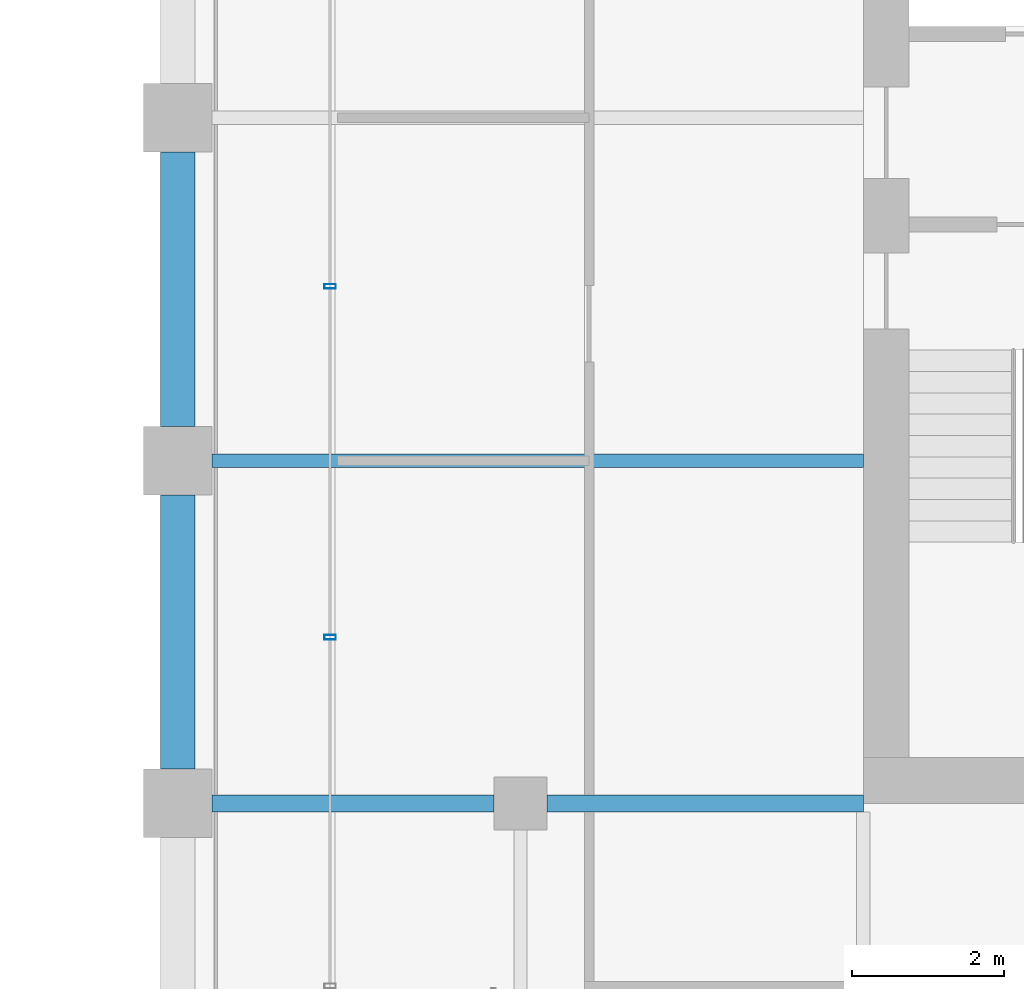
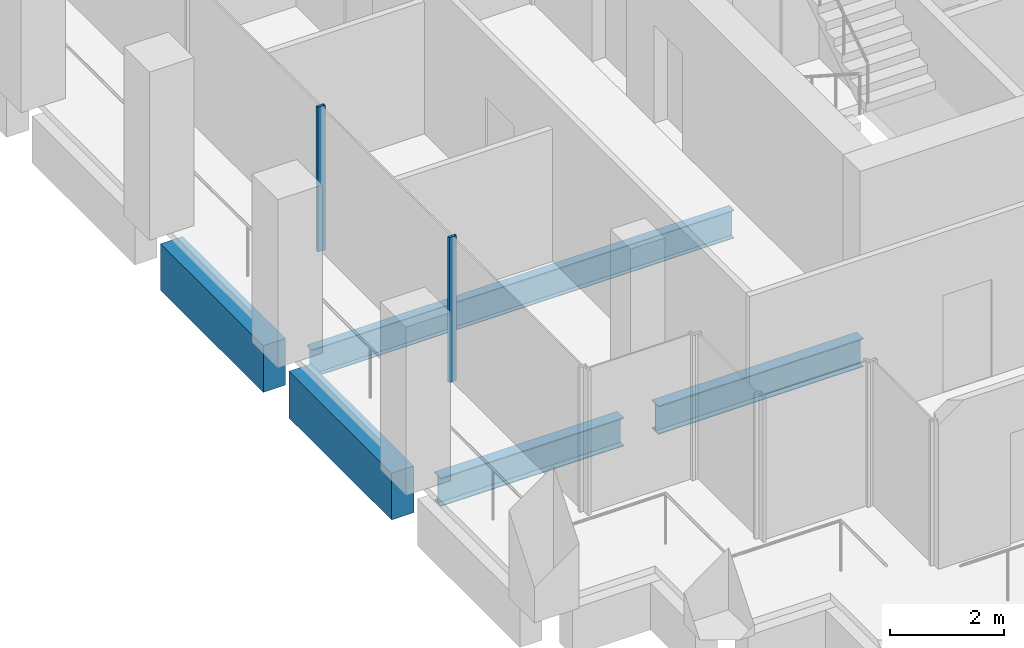
# One storey, part 30 of 40: 5 beams, 2 members, 1 element without a shape of its own.
"""IFC4 building model written with IfcOpenShell, lengths in metres."""

import ifcopenshell
import ifcopenshell.guid

model = None  # the IFC model being written
_history = None  # IfcOwnerHistory: only IFC2X3 demands one
_inside = {}  # id of a spatial element -> (the spatial element, [elements in it])
_under = {}  # id of a project, library or spatial element -> (it, [spatial elements below it])
_declared = {}  # id of a project -> (the project, [libraries it declares])
_typed = {}  # id of a type object -> (the type object, [elements of that type])
_made_of = {}  # id of a material, layer set ... -> (it, [elements and type objects made of it])


def new_model(schema):
    """Start an empty IFC model of exactly this schema.

    Asked for "IFC4X3", IfcOpenShell would pick the latest addendum, in which some entities
    have other attributes; the version numbers below select the first issue.
    IFC2X3 requires an IfcOwnerHistory on every rooted entity: one is made here for all.
    """
    global model, _history
    if schema == "IFC4X3":
        model = ifcopenshell.file(schema_version=(4, 3, 0, 0))
    else:
        model = ifcopenshell.file(schema=schema)
    _inside.clear()
    _under.clear()
    _declared.clear()
    _typed.clear()
    _made_of.clear()
    _history = None
    if model.schema == "IFC2X3":
        org = make("IfcOrganization", Name="unknown")
        user = make(
            "IfcPersonAndOrganization",
            ThePerson=make("IfcPerson", FamilyName="unknown"),
            TheOrganization=org,
        )
        app = make(
            "IfcApplication",
            ApplicationDeveloper=org,
            Version="unknown",
            ApplicationFullName="unknown",
            ApplicationIdentifier="unknown",
        )
        _history = make(
            "IfcOwnerHistory",
            OwningUser=user,
            OwningApplication=app,
            ChangeAction="ADDED",
            CreationDate=0,
        )
    return model


def make(cls, **values):
    """One entity of the class cls with the attributes given. An attribute that is None is left unset."""
    return model.create_entity(
        cls, **{name: value for name, value in values.items() if value is not None}
    )


def rooted(cls, **values):
    """An entity with a GlobalId (a new one), such as an element, a storey or a relation."""
    return make(cls, GlobalId=ifcopenshell.guid.new(), OwnerHistory=_history, **values)


def si_unit(unit_type, name, prefix=None):
    """IfcSIUnit, for example si_unit("LENGTHUNIT", "METRE", prefix="MILLI")."""
    return make("IfcSIUnit", UnitType=unit_type, Prefix=prefix, Name=name)


def assignment(units):
    """IfcUnitAssignment: the units of a project."""
    return None if units is None else make("IfcUnitAssignment", Units=units)


def point(xyz):
    """IfcCartesianPoint."""
    return None if xyz is None else make("IfcCartesianPoint", Coordinates=xyz)


def direction(xyz):
    """IfcDirection."""
    return None if xyz is None else make("IfcDirection", DirectionRatios=xyz)


def frame(location, z_axis=None, x_axis=None):
    """IfcAxis2Placement3D, a coordinate frame: its origin and axes. An axis left out is left unset."""
    return make(
        "IfcAxis2Placement3D",
        Location=point(location),
        Axis=direction(z_axis),
        RefDirection=direction(x_axis),
    )


def frame_2d(location, x_axis=None):
    """IfcAxis2Placement2D, a coordinate frame in the plane: its origin and x axis."""
    return make(
        "IfcAxis2Placement2D", Location=point(location), RefDirection=direction(x_axis)
    )


def origin():
    """The frame at (0, 0, 0) with its axes left unset."""
    return frame((0.0, 0.0, 0.0))


def origin_2d():
    """The frame at (0, 0) in the plane with its x axis left unset."""
    return frame_2d((0.0, 0.0))


def place(relative_to, where):
    """IfcLocalPlacement: puts the frame where relative to a parent placement (None: the world)."""
    return make(
        "IfcLocalPlacement", PlacementRelTo=relative_to, RelativePlacement=where
    )


def context(
    kind, dimensions, precision=None, world=None, true_north=None, identifier=None
):
    """IfcGeometricRepresentationContext, for example the 3D "Model" context."""
    return make(
        "IfcGeometricRepresentationContext",
        ContextIdentifier=identifier,
        ContextType=kind,
        CoordinateSpaceDimension=dimensions,
        Precision=precision,
        WorldCoordinateSystem=world,
        TrueNorth=true_north,
    )


def subcontext(parent, identifier, kind, view, scale=None):
    """IfcGeometricRepresentationSubContext, for example "Body" below "Model"."""
    return make(
        "IfcGeometricRepresentationSubContext",
        ContextIdentifier=identifier,
        ContextType=kind,
        ParentContext=parent,
        TargetScale=scale,
        TargetView=view,
    )


def project(units=None, contexts=None):
    """IfcProject with its units and contexts."""
    return rooted(
        "IfcProject",
        Name="project",
        RepresentationContexts=contexts,
        UnitsInContext=assignment(units),
    )


def spatial(cls, under=None, at=None, **own):
    """A site, building, storey or space (cls), placed at a placement, below another one or the project."""
    s = rooted(cls, ObjectPlacement=at, **own)
    if under is not None:
        _under.setdefault(under.id(), (under, []))[1].append(s)
    return s


def profile(cls, at=None, kind="AREA", **sizes):
    """A parametric profile (cls). Its sizes go by their IFC names, for example OverallWidth=200.0."""
    return make(cls, ProfileType=kind, Position=at, **sizes)


def rectangle(**sizes):
    """IfcRectangleProfileDef."""
    return profile("IfcRectangleProfileDef", **sizes)


def hollow_rectangle(**sizes):
    """IfcRectangleHollowProfileDef."""
    return profile("IfcRectangleHollowProfileDef", **sizes)


def i_section(**sizes):
    """IfcIShapeProfileDef."""
    return profile("IfcIShapeProfileDef", **sizes)


def extrude(swept, where, along, depth):
    """IfcExtrudedAreaSolid: the profile swept, set in the frame where, extruded along a direction by depth."""
    return make(
        "IfcExtrudedAreaSolid",
        SweptArea=swept,
        Position=where,
        ExtrudedDirection=direction(along),
        Depth=depth,
    )


def shape(context_of_items, identifier, shape_type, items):
    """IfcShapeRepresentation: the items that make up one representation, for example the "Body"."""
    return make(
        "IfcShapeRepresentation",
        ContextOfItems=context_of_items,
        RepresentationIdentifier=identifier,
        RepresentationType=shape_type,
        Items=items,
    )


def material(Name=None, Category=None):
    """IfcMaterial."""
    return make("IfcMaterial", Name=Name, Category=Category)


def material_profile(
    of_material, cross_section, Name=None, Category=None, Priority=None
):
    """IfcMaterialProfile: a cross section and its material."""
    return make(
        "IfcMaterialProfile",
        Name=Name,
        Material=of_material,
        Profile=cross_section,
        Priority=Priority,
        Category=Category,
    )


def profile_set(profiles, Name=None, composite=None):
    """IfcMaterialProfileSet."""
    return make(
        "IfcMaterialProfileSet",
        Name=Name,
        MaterialProfiles=profiles,
        CompositeProfile=composite,
    )


def made_of(thing, what):
    """Note that an element or type object is made of a material, layer set ...; save() writes the relation."""
    if what is not None:
        _made_of.setdefault(what.id(), (what, []))[1].append(thing)
    return thing


def type_object(cls, material=None, **own):
    """A type object (cls), such as IfcWallType, which elements share."""
    return made_of(rooted(cls, **own), material)


def element(
    cls,
    number,
    at=None,
    inside=None,
    cuts=None,
    type_object=None,
    material=None,
    context=None,
    identifier="Body",
    shape_type=None,
    held_by="IfcProductDefinitionShape",
    body=None,
    shapes=None,
    **own,
):
    """One element of the class cls, such as IfcWall. Its Tag is "e" and its number.

    at: its placement. inside: the storey or other place that contains it. cuts: it is an
    opening in that element (IfcRelVoidsElement). A single representation is given by context,
    identifier, shape_type and body (its items); several are given by shapes. held_by: the class
    of the entity that holds the representations. save() writes the other relations.
    """
    e = rooted(cls, Tag="e%d" % number, ObjectPlacement=at, **own)
    if body is not None:
        shapes = [shape(context, identifier, shape_type, body)]
    if shapes is not None:
        e.Representation = make(held_by, Representations=shapes)
    if inside is not None:
        _inside.setdefault(inside.id(), (inside, []))[1].append(e)
    if cuts is not None:
        rooted(
            "IfcRelVoidsElement", RelatingBuildingElement=cuts, RelatedOpeningElement=e
        )
    if type_object is not None:
        _typed.setdefault(type_object.id(), (type_object, []))[1].append(e)
    return made_of(e, material)


def aggregate(whole, parts):
    """IfcRelAggregates: a whole, such as a stair, and the parts it consists of."""
    return rooted("IfcRelAggregates", RelatingObject=whole, RelatedObjects=parts)


def save(model, path):
    """Write the relations noted so far, then the file.

    IfcRelAggregates (storeys below a building ...), IfcRelContainedInSpatialStructure (elements
    in a storey), IfcRelDefinesByType, IfcRelAssociatesMaterial and IfcRelDeclares: one each for
    every whole, place, type object, material and project.
    """
    for whole, parts in _under.values():
        aggregate(whole, parts)
    for where, things in _inside.values():
        rooted(
            "IfcRelContainedInSpatialStructure",
            RelatedElements=things,
            RelatingStructure=where,
        )
    for kind, things in _typed.values():
        rooted("IfcRelDefinesByType", RelatedObjects=things, RelatingType=kind)
    for what, things in _made_of.values():
        rooted("IfcRelAssociatesMaterial", RelatedObjects=things, RelatingMaterial=what)
    for by, libraries in _declared.values():
        rooted("IfcRelDeclares", RelatingContext=by, RelatedDefinitions=libraries)
    model.write(path)


model = new_model("IFC4")

# Units and contexts
model_context = context("Model", 3, precision=1e-05, world=origin(), true_north=direction((0.0, 1.0)))
body_context = subcontext(model_context, "Body", "Model", "MODEL_VIEW")
ifc_project = project(units=[si_unit("LENGTHUNIT", "METRE"), si_unit("AREAUNIT", "SQUARE_METRE"), si_unit("VOLUMEUNIT", "CUBIC_METRE"), si_unit("PLANEANGLEUNIT", "RADIAN"), si_unit("MASSUNIT", "GRAM", prefix="KILO")], contexts=[model_context])

# Site, building, storey
site_placement = place(None, origin())
site = spatial("IfcSite", under=ifc_project, at=site_placement, CompositionType="ELEMENT")
building_placement = place(site_placement, origin())
building = spatial("IfcBuilding", under=site, at=building_placement, Name="Altepetl Exchange Towers", CompositionType="ELEMENT")
storey_placement = place(building_placement, frame((0.0, 0.0, 147.39990234375)))
storey = spatial("IfcBuildingStorey", under=building, at=storey_placement, Name="L36", CompositionType="ELEMENT", Elevation=147.39990234375)

# Beams
ifc_material_1 = material(Name="Steel S355", Category="steel")
ifc_material_profile_1 = material_profile(ifc_material_1, i_section(OverallWidth=0.177978515625, OverallDepth=0.59912109375, WebThickness=0.010009765625, FlangeThickness=0.0126953125, at=origin_2d()), Name="W24X55")
ifc_profile_set_1 = profile_set([ifc_material_profile_1], Name="Steel S355")
beam_type_1 = type_object("IfcBeamType", Name="Floor beam W24X55", PredefinedType="BEAM", material=ifc_profile_set_1)
beam_1_placement = place(storey_placement, frame((94.949951171875, 40.5, -0.449462890625), z_axis=(1.0, 0.0, 0.0), x_axis=(0.0, 1.0, 0.0)))
element("IfcBeam", 1, at=beam_1_placement, inside=storey, type_object=beam_type_1, Name="bm:B:L36:004", PredefinedType="BEAM", context=body_context, shape_type="SweptSolid", body=[
    extrude(i_section(OverallWidth=0.177978515625, OverallDepth=0.59912109375, WebThickness=0.010009765625, FlangeThickness=0.0126953125, at=origin_2d()), origin(), (0.0, 0.0, 1.0), 8.550048828125),
])
ifc_material_profile_2 = material_profile(ifc_material_1, i_section(OverallWidth=0.22802734375, OverallDepth=0.60791015625, WebThickness=0.01123046875, FlangeThickness=0.017333984375, at=origin_2d()), Name="W24X76")
ifc_profile_set_2 = profile_set([ifc_material_profile_2], Name="Steel S355")
beam_type_2 = type_object("IfcBeamType", Name="Girder W24X76", PredefinedType="BEAM", material=ifc_profile_set_2)
beam_2_placement = place(storey_placement, frame((103.5, 36.0, -0.453857421875), z_axis=(-1.0, 0.0, 0.0), x_axis=(0.0, -1.0, 0.0)))
element("IfcBeam", 2, at=beam_2_placement, inside=storey, type_object=beam_type_2, Name="gd:B:L36:000", PredefinedType="BEAM", context=body_context, shape_type="SweptSolid", body=[
    extrude(i_section(OverallWidth=0.22802734375, OverallDepth=0.60791015625, WebThickness=0.01123046875, FlangeThickness=0.017333984375, at=origin_2d()), origin(), (0.0, 0.0, 1.0), 4.14990234375),
])
beam_3_placement = place(storey_placement, frame((98.64990234375, 36.0, -0.453857421875), z_axis=(-1.0, 0.0, 0.0), x_axis=(0.0, -1.0, 0.0)))
element("IfcBeam", 3, at=beam_3_placement, inside=storey, type_object=beam_type_2, Name="gd:B:L36:001", PredefinedType="BEAM", context=body_context, shape_type="SweptSolid", body=[
    extrude(i_section(OverallWidth=0.22802734375, OverallDepth=0.60791015625, WebThickness=0.01123046875, FlangeThickness=0.017333984375, at=origin_2d()), origin(), (0.0, 0.0, 1.0), 3.699951171875),
])

# Curtain wall, members
ifc_material_2 = material(Name="Aluminium 6063-T6 glazing", Category="aluminium")
curtain_wall_type = type_object("IfcCurtainWallType", Name="Loggia glazing system", PredefinedType="NOTDEFINED", material=ifc_material_2)
curtain_wall_placement = place(storey_placement, origin())
curtain_wall = element("IfcCurtainWall", 4, at=curtain_wall_placement, inside=storey, type_object=curtain_wall_type, Name="CW1 run", PredefinedType="NOTDEFINED")
ifc_material_3 = material(Name="Aluminium 6063-T6", Category="aluminium")
ifc_material_profile_3 = material_profile(ifc_material_3, hollow_rectangle(XDim=0.06005859375, YDim=0.14990234375, WallThickness=0.0029296875, at=origin_2d()), Name="Mullion 60x150 aluminium")
ifc_profile_set_3 = profile_set([ifc_material_profile_3], Name="Aluminium 6063-T6")
member_type = type_object("IfcMemberType", Name="Mullion 60x150 aluminium", PredefinedType="MULLION", material=ifc_profile_set_3)
member_1_placement = place(storey_placement, frame((96.5, 42.78759765625, 0.0), z_axis=(0.0, 0.0, 1.0), x_axis=(0.0, -1.0, 0.0)))
member_1 = element("IfcMember", 5, at=member_1_placement, type_object=member_type, Name="MU1 mullion", PredefinedType="MULLION", context=body_context, shape_type="SweptSolid", body=[
    extrude(hollow_rectangle(XDim=0.06005859375, YDim=0.14990234375, WallThickness=0.0029296875, at=origin_2d()), origin(), (0.0, 0.0, 1.0), 3.10009765625),
])
member_2_placement = place(storey_placement, frame((96.5, 38.18115234375, 0.0), z_axis=(0.0, 0.0, 1.0), x_axis=(0.0, -1.0, 0.0)))
member_2 = element("IfcMember", 6, at=member_2_placement, type_object=member_type, Name="MU1 mullion", PredefinedType="MULLION", context=body_context, shape_type="SweptSolid", body=[
    extrude(hollow_rectangle(XDim=0.06005859375, YDim=0.14990234375, WallThickness=0.0029296875, at=origin_2d()), origin(), (0.0, 0.0, 1.0), 3.10009765625),
])
aggregate(curtain_wall, [member_1, member_2])

# Beams
ifc_material_4 = material(Name="Concrete C50/60 precast with cantera rosa facing", Category="concrete")
ifc_material_profile_4 = material_profile(ifc_material_4, rectangle(XDim=0.449951171875, YDim=1.0, at=origin_2d()), Name="450 x 1000")
ifc_profile_set_4 = profile_set([ifc_material_profile_4], Name="Concrete C50/60 precast with cantera rosa facing")
beam_type_3 = type_object("IfcBeamType", Name="Spandrel beam 450x1000 cantera rosa", PredefinedType="SPANDREL", material=ifc_profile_set_4)
for number, where, z_axis, x_axis, name in (
    (7, (94.5, 44.550048828125, -0.64990234375), (0.0, -1.0, 0.0), (1.0, 0.0, 0.0), "sp:B:L36:017"),
    (8, (94.5, 40.050048828125, -0.64990234375), (0.0, -1.0, 0.0), (1.0, 0.0, 0.0), "sp:B:L36:018"),
):
    element("IfcBeam", number, at=place(storey_placement, frame(where, z_axis=z_axis, x_axis=x_axis)), inside=storey, type_object=beam_type_3, Name=name, PredefinedType="SPANDREL", context=body_context, shape_type="SweptSolid", body=[
        extrude(rectangle(XDim=0.449951171875, YDim=1.0, at=origin_2d()), origin(), (0.0, 0.0, 1.0), 3.60009765625),
    ])

save(model, "model.ifc")
